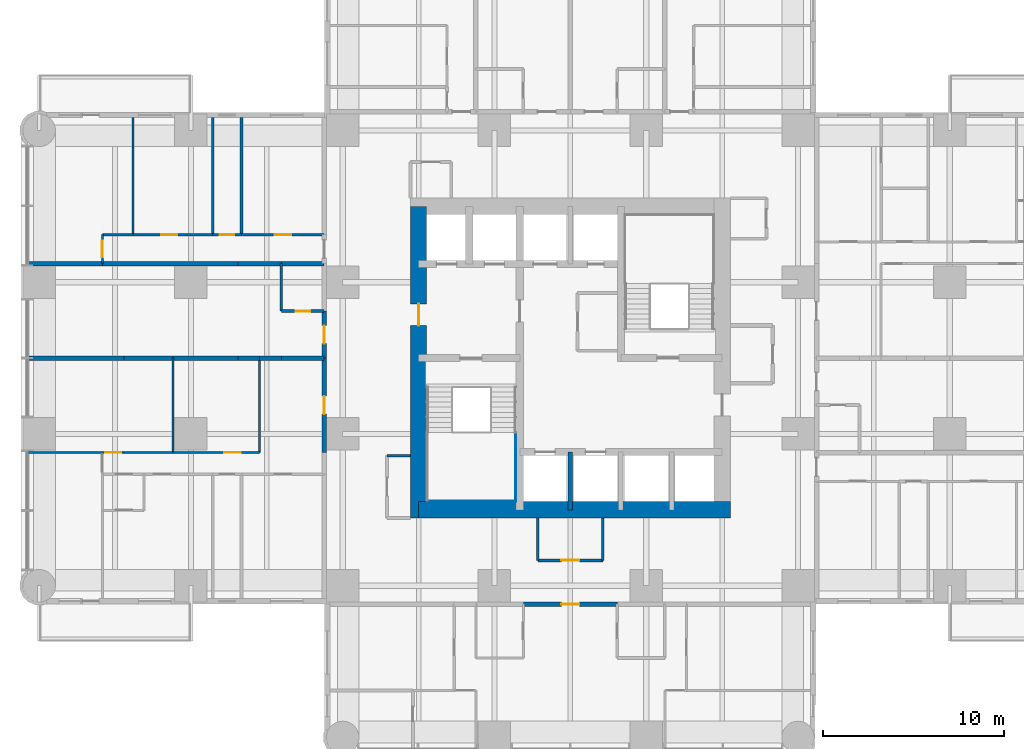
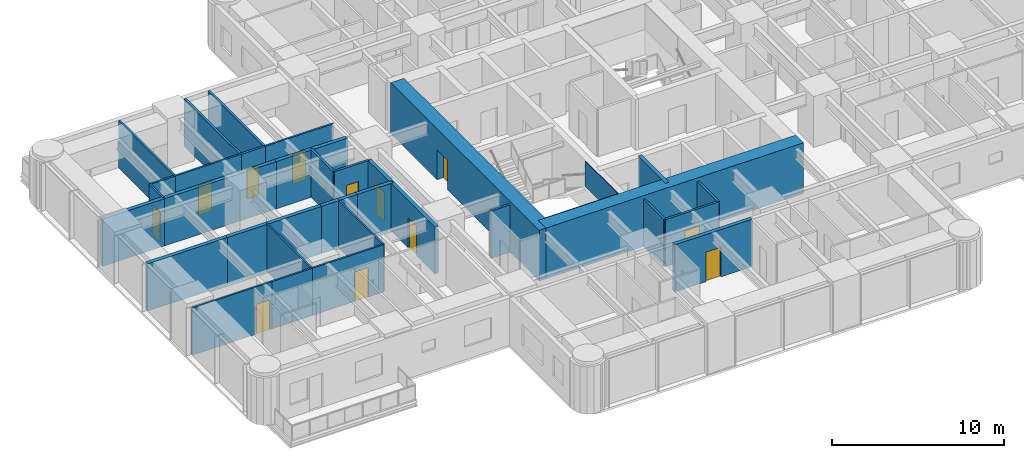
# One storey, part 7 of 14: 38 walls, 12 doors, 12 openings.
"""IFC4 building model written with IfcOpenShell, lengths in metres."""

from ifc_helpers import new_model, si_unit, direction, frame, frame_2d, origin, place, context, subcontext, project, spatial, rectangle, extrude, material, layer, layer_set, type_object, element, fill, save


model = new_model("IFC4")

# Units and contexts
model_context = context("Model", 3, precision=1e-05, world=origin(), true_north=direction((0.0, 1.0)))
body_context = subcontext(model_context, "Body", "Model", "MODEL_VIEW")
ifc_project = project(units=[si_unit("LENGTHUNIT", "METRE"), si_unit("AREAUNIT", "SQUARE_METRE"), si_unit("VOLUMEUNIT", "CUBIC_METRE"), si_unit("PLANEANGLEUNIT", "RADIAN"), si_unit("MASSUNIT", "GRAM", prefix="KILO")], contexts=[model_context])

# Site, building, storey
site_placement = place(None, origin())
site = spatial("IfcSite", under=ifc_project, at=site_placement, CompositionType="ELEMENT")
building_placement = place(site_placement, origin())
building = spatial("IfcBuilding", under=site, at=building_placement, Name="Torre Alcanfor", CompositionType="ELEMENT")
storey_placement = place(building_placement, frame((0.0, 0.0, 173.699951171875)))
storey = spatial("IfcBuildingStorey", under=building, at=storey_placement, Name="L45", CompositionType="ELEMENT", Elevation=173.699951171875)

# Wall, opening, door
ifc_material_1 = material(Name="Concrete block masonry, hollow blocks NMX-C-404 9 MPa", Category="masonry")
ifc_layer_1 = layer(ifc_material_1, 0.25)
ifc_layer_set_1 = layer_set([ifc_layer_1], Name="Apartment entrance wall 250 EI 60")
wall_type_1 = type_object("IfcWallType", Name="Apartment entrance wall 250 EI 60", PredefinedType="PARTITIONING", material=ifc_layer_set_1)
wall_1_placement = place(storey_placement, frame((32.0, 15.77490234375, 0.0), z_axis=(0.0, 0.0, 1.0), x_axis=(-1.0, 0.0, 0.0)))
wall_1 = element("IfcWall", 1, at=wall_1_placement, inside=storey, type_object=wall_type_1, Name="Partition L45-CORR / L45-SX-ZAG", PredefinedType="PARTITIONING", context=body_context, shape_type="SweptSolid", body=[
    extrude(rectangle(XDim=5.199951171875, YDim=0.25, at=frame_2d((2.60009765625, 0.0))), origin(), (0.0, 0.0, 1.0), 3.35009765625),
])
opening_1_placement = place(wall_1_placement, frame((2.10009765625, 0.0, 0.0)))
opening_1 = element("IfcOpeningElement", 2, at=opening_1_placement, cuts=wall_1, Name="Opening D-A1", PredefinedType="OPENING", context=body_context, shape_type="SweptSolid", body=[
    extrude(rectangle(XDim=1.0, YDim=2.10009765625, at=frame_2d((0.5, 1.050048828125))), frame((0.0, 0.135009765625, 0.0), z_axis=(0.0, -1.0, 0.0), x_axis=(1.0, 0.0, 0.0)), (0.0, 0.0, 1.0), 0.27001953125),
])
ifc_material_2 = material(Name="Galvanised steel sheet ASTM A653", Category="steel")
door_type_1 = type_object("IfcDoorType", Name="Apartment entrance door FD60 1000x2100", OperationType="SINGLE_SWING_LEFT", PredefinedType="DOOR", material=ifc_material_2)
door_1_placement = place(opening_1_placement, origin())
door_1 = element("IfcDoor", 3, at=door_1_placement, inside=storey, type_object=door_type_1, Name="Apartment entrance L45-SX", OperationType="SINGLE_SWING_LEFT", OverallHeight=2.10009765625, OverallWidth=1.0, PredefinedType="DOOR", context=body_context, shape_type="SweptSolid", body=[
    extrude(rectangle(XDim=1.0, YDim=2.10009765625, at=frame_2d((0.5, 1.050048828125))), frame((0.0, 0.02490234375, 0.0), z_axis=(0.0, -1.0, 0.0), x_axis=(1.0, 0.0, 0.0)), (0.0, 0.0, 1.0), 0.050048828125),
])
fill(opening_1, door_1)

wall_2_placement = place(storey_placement, frame((15.77490234375, 24.1708984375, 0.0), z_axis=(0.0, 0.0, 1.0), x_axis=(0.0, 1.0, 0.0)))
wall_2 = element("IfcWall", 4, at=wall_2_placement, inside=storey, type_object=wall_type_1, Name="Partition L45-CORR / L45-W1-ZAG", PredefinedType="PARTITIONING", context=body_context, shape_type="SweptSolid", body=[
    extrude(rectangle(XDim=5.22900390625, YDim=0.25, at=frame_2d((2.614501953125, 0.0))), origin(), (0.0, 0.0, 1.0), 3.35009765625),
])
opening_2_placement = place(wall_2_placement, frame((2.12890625, 0.0, 0.0)))
opening_2 = element("IfcOpeningElement", 5, at=opening_2_placement, cuts=wall_2, Name="Opening D-A1", PredefinedType="OPENING", context=body_context, shape_type="SweptSolid", body=[
    extrude(rectangle(XDim=1.0, YDim=2.10009765625, at=frame_2d((0.5, 1.050048828125))), frame((0.0, 0.135009765625, 0.0), z_axis=(0.0, -1.0, 0.0), x_axis=(1.0, 0.0, 0.0)), (0.0, 0.0, 1.0), 0.27001953125),
])
door_2_placement = place(opening_2_placement, origin())
door_2 = element("IfcDoor", 6, at=door_2_placement, inside=storey, type_object=door_type_1, Name="Apartment entrance L45-W1", OperationType="SINGLE_SWING_RIGHT", OverallHeight=2.10009765625, OverallWidth=1.0, PredefinedType="DOOR", context=body_context, shape_type="SweptSolid", body=[
    extrude(rectangle(XDim=1.0, YDim=2.10009765625, at=frame_2d((0.5, 1.050048828125))), frame((0.0, 0.02490234375, 0.0), z_axis=(0.0, -1.0, 0.0), x_axis=(1.0, 0.0, 0.0)), (0.0, 0.0, 1.0), 0.050048828125),
])
fill(opening_2, door_2)

wall_3_placement = place(storey_placement, frame((15.77490234375, 29.39990234375, 0.0), z_axis=(0.0, 0.0, 1.0), x_axis=(0.0, 1.0, 0.0)))
wall_3 = element("IfcWall", 7, at=wall_3_placement, inside=storey, type_object=wall_type_1, Name="Partition L45-CORR / L45-W2A-FOYER", PredefinedType="PARTITIONING", context=body_context, shape_type="SweptSolid", body=[
    extrude(rectangle(XDim=2.60009765625, YDim=0.25, at=frame_2d((1.300048828125, 0.0))), origin(), (0.0, 0.0, 1.0), 3.35009765625),
])
opening_3_placement = place(wall_3_placement, frame((0.800048828125, 0.0, 0.0)))
opening_3 = element("IfcOpeningElement", 8, at=opening_3_placement, cuts=wall_3, Name="Opening D-A1", PredefinedType="OPENING", context=body_context, shape_type="SweptSolid", body=[
    extrude(rectangle(XDim=1.0, YDim=2.10009765625, at=frame_2d((0.5, 1.050048828125))), frame((0.0, 0.135009765625, 0.0), z_axis=(0.0, -1.0, 0.0), x_axis=(1.0, 0.0, 0.0)), (0.0, 0.0, 1.0), 0.27001953125),
])
door_3_placement = place(opening_3_placement, origin())
door_3 = element("IfcDoor", 9, at=door_3_placement, inside=storey, type_object=door_type_1, Name="Apartment entrance L45-W2A", OperationType="SINGLE_SWING_LEFT", OverallHeight=2.10009765625, OverallWidth=1.0, PredefinedType="DOOR", context=body_context, shape_type="SweptSolid", body=[
    extrude(rectangle(XDim=1.0, YDim=2.10009765625, at=frame_2d((0.5, 1.050048828125))), frame((0.0, 0.02490234375, 0.0), z_axis=(0.0, -1.0, 0.0), x_axis=(1.0, 0.0, 0.0)), (0.0, 0.0, 1.0), 0.050048828125),
])
fill(opening_3, door_3)

# Walls
ifc_material_3 = material(Name="Gypsum board on steel studs", Category="steel")
ifc_layer_2 = layer(ifc_material_3, 0.1201171875)
ifc_layer_set_2 = layer_set([ifc_layer_2], Name="Apartment partition 120")
wall_type_2 = type_object("IfcWallType", Name="Apartment partition 120", PredefinedType="PARTITIONING", material=ifc_layer_set_2)
for number, where, z_axis, x_axis, name in (
    (10, (12.199951171875, 29.39990234375, 0.0), (0.0, 0.0, 1.0), (0.0, -1.0, 0.0), "Partition L45-W1-ZAG / L45-W1-FAMILY"),
    (11, (7.39990234375, 29.39990234375, 0.0), (0.0, 0.0, 1.0), (0.0, -1.0, 0.0), "Partition L45-W1-FAMILY / L45-W1-KITCHEN"),
):
    element("IfcWall", number, at=place(storey_placement, frame(where, z_axis=z_axis, x_axis=x_axis)), inside=storey, type_object=wall_type_2, Name=name, PredefinedType="PARTITIONING", context=body_context, shape_type="SweptSolid", body=[
        extrude(rectangle(XDim=5.22900390625, YDim=0.1201171875, at=frame_2d((2.614501953125, 0.0))), origin(), (0.0, 0.0, 1.0), 3.35009765625),
    ])

# Wall, opening, door
wall_4_placement = place(storey_placement, frame((7.39990234375, 24.1708984375, 0.0), z_axis=(0.0, 0.0, 1.0), x_axis=(1.0, 0.0, 0.0)))
wall_4 = element("IfcWall", 12, at=wall_4_placement, inside=storey, type_object=wall_type_2, Name="Partition L45-W1-FAMILY / L45-W1-HALL", PredefinedType="PARTITIONING", context=body_context, shape_type="SweptSolid", body=[
    extrude(rectangle(XDim=4.800048828125, YDim=0.1201171875, at=frame_2d((2.39990234375, 0.0))), origin(), (0.0, 0.0, 1.0), 3.35009765625),
])
opening_4_placement = place(wall_4_placement, frame((2.85009765625, 0.0, 0.0)))
opening_4 = element("IfcOpeningElement", 13, at=opening_4_placement, cuts=wall_4, Name="Opening D-R1", PredefinedType="OPENING", context=body_context, shape_type="SweptSolid", body=[
    extrude(rectangle(XDim=0.89990234375, YDim=2.10009765625, at=frame_2d((0.449951171875, 1.050048828125))), frame((0.0, 0.070068359375, 0.0), z_axis=(0.0, -1.0, 0.0), x_axis=(1.0, 0.0, 0.0)), (0.0, 0.0, 1.0), 0.14013671875),
])
ifc_material_4 = material(Name="Timber", Category="wood")
door_type_2 = type_object("IfcDoorType", Name="Internal door 900x2100", OperationType="SINGLE_SWING_LEFT", PredefinedType="DOOR", material=ifc_material_4)
door_4_placement = place(opening_4_placement, origin())
door_4 = element("IfcDoor", 14, at=door_4_placement, inside=storey, type_object=door_type_2, Name="Door L45-W1 family", OperationType="SINGLE_SWING_RIGHT", OverallHeight=2.10009765625, OverallWidth=0.89990234375, PredefinedType="DOOR", context=body_context, shape_type="SweptSolid", body=[
    extrude(rectangle(XDim=0.89990234375, YDim=2.10009765625, at=frame_2d((0.449951171875, 1.050048828125))), frame((0.0, 0.02490234375, 0.0), z_axis=(0.0, -1.0, 0.0), x_axis=(1.0, 0.0, 0.0)), (0.0, 0.0, 1.0), 0.050048828125),
])
fill(opening_4, door_4)

# Wall
wall_5_placement = place(storey_placement, frame((4.699951171875, 24.1708984375, 0.0), z_axis=(0.0, 0.0, 1.0), x_axis=(1.0, 0.0, 0.0)))
element("IfcWall", 15, at=wall_5_placement, inside=storey, type_object=wall_type_2, Name="Partition L45-W1-KITCHEN / L45-W1-HALL", PredefinedType="PARTITIONING", context=body_context, shape_type="SweptSolid", body=[
    extrude(rectangle(XDim=2.699951171875, YDim=0.1201171875, at=frame_2d((1.35009765625, 0.0))), origin(), (0.0, 0.0, 1.0), 3.35009765625),
])

# Wall, opening, door
wall_6_placement = place(storey_placement, frame((3.5, 24.1708984375, 0.0), z_axis=(0.0, 0.0, 1.0), x_axis=(1.0, 0.0, 0.0)))
wall_6 = element("IfcWall", 16, at=wall_6_placement, inside=storey, type_object=wall_type_2, Name="Partition L45-W1-LIVING / L45-W1-HALL", PredefinedType="PARTITIONING", context=body_context, shape_type="SweptSolid", body=[
    extrude(rectangle(XDim=1.199951171875, YDim=0.1201171875, at=frame_2d((0.60009765625, 0.0))), origin(), (0.0, 0.0, 1.0), 3.35009765625),
])
opening_5_placement = place(wall_6_placement, frame((0.14990234375, 0.0, 0.0)))
opening_5 = element("IfcOpeningElement", 17, at=opening_5_placement, cuts=wall_6, Name="Opening D-R1", PredefinedType="OPENING", context=body_context, shape_type="SweptSolid", body=[
    extrude(rectangle(XDim=0.89990234375, YDim=2.10009765625, at=frame_2d((0.449951171875, 1.050048828125))), frame((0.0, 0.070068359375, 0.0), z_axis=(0.0, -1.0, 0.0), x_axis=(1.0, 0.0, 0.0)), (0.0, 0.0, 1.0), 0.14013671875),
])
door_5_placement = place(opening_5_placement, origin())
door_5 = element("IfcDoor", 18, at=door_5_placement, inside=storey, type_object=door_type_2, Name="Door L45-W1 living", OperationType="SINGLE_SWING_RIGHT", OverallHeight=2.10009765625, OverallWidth=0.89990234375, PredefinedType="DOOR", context=body_context, shape_type="SweptSolid", body=[
    extrude(rectangle(XDim=0.89990234375, YDim=2.10009765625, at=frame_2d((0.449951171875, 1.050048828125))), frame((0.0, 0.02490234375, 0.0), z_axis=(0.0, -1.0, 0.0), x_axis=(1.0, 0.0, 0.0)), (0.0, 0.0, 1.0), 0.050048828125),
])
fill(opening_5, door_5)

# Wall
wall_7_placement = place(storey_placement, frame((-0.64990234375, 24.1708984375, 0.0), z_axis=(0.0, 0.0, 1.0), x_axis=(1.0, 0.0, 0.0)))
element("IfcWall", 19, at=wall_7_placement, inside=storey, type_object=wall_type_2, Name="Partition L45-W1-LIVING / L45-W1-WGARD", PredefinedType="PARTITIONING", context=body_context, shape_type="SweptSolid", body=[
    extrude(rectangle(XDim=4.14990234375, YDim=0.1201171875, at=frame_2d((2.074951171875, 0.0))), origin(), (0.0, 0.0, 1.0), 3.35009765625),
])

# Wall, opening, door
wall_8_placement = place(storey_placement, frame((11.199951171875, 36.22900390625, 0.0), z_axis=(0.0, 0.0, 1.0), x_axis=(1.0, 0.0, 0.0)))
wall_8 = element("IfcWall", 20, at=wall_8_placement, inside=storey, type_object=wall_type_2, Name="Partition L45-W2B-HALL / L45-W2B-MASTER", PredefinedType="PARTITIONING", context=body_context, shape_type="SweptSolid", body=[
    extrude(rectangle(XDim=4.574951171875, YDim=0.1201171875, at=frame_2d((2.28759765625, 0.0))), origin(), (0.0, 0.0, 1.0), 3.35009765625),
])
opening_6_placement = place(wall_8_placement, frame((1.85009765625, 0.0, 0.0)))
opening_6 = element("IfcOpeningElement", 21, at=opening_6_placement, cuts=wall_8, Name="Opening D-R1", PredefinedType="OPENING", context=body_context, shape_type="SweptSolid", body=[
    extrude(rectangle(XDim=0.89990234375, YDim=2.10009765625, at=frame_2d((0.449951171875, 1.050048828125))), frame((0.0, 0.070068359375, 0.0), z_axis=(0.0, -1.0, 0.0), x_axis=(1.0, 0.0, 0.0)), (0.0, 0.0, 1.0), 0.14013671875),
])
door_6_placement = place(opening_6_placement, origin())
door_6 = element("IfcDoor", 22, at=door_6_placement, inside=storey, type_object=door_type_2, Name="Door L45-W2B master", OperationType="SINGLE_SWING_RIGHT", OverallHeight=2.10009765625, OverallWidth=0.89990234375, PredefinedType="DOOR", context=body_context, shape_type="SweptSolid", body=[
    extrude(rectangle(XDim=0.89990234375, YDim=2.10009765625, at=frame_2d((0.449951171875, 1.050048828125))), frame((0.0, 0.02490234375, 0.0), z_axis=(0.0, -1.0, 0.0), x_axis=(1.0, 0.0, 0.0)), (0.0, 0.0, 1.0), 0.050048828125),
])
fill(opening_6, door_6)

wall_9_placement = place(storey_placement, frame((5.199951171875, 36.22900390625, 0.0), z_axis=(0.0, 0.0, 1.0), x_axis=(1.0, 0.0, 0.0)))
wall_9 = element("IfcWall", 23, at=wall_9_placement, inside=storey, type_object=wall_type_2, Name="Partition L45-W2B-HALL / L45-W2B-STUDY", PredefinedType="PARTITIONING", context=body_context, shape_type="SweptSolid", body=[
    extrude(rectangle(XDim=4.400146484375, YDim=0.1201171875, at=frame_2d((2.2001953125, 0.0))), origin(), (0.0, 0.0, 1.0), 3.35009765625),
])
opening_7_placement = place(wall_9_placement, frame((1.550048828125, 0.0, 0.0)))
opening_7 = element("IfcOpeningElement", 24, at=opening_7_placement, cuts=wall_9, Name="Opening D-R1", PredefinedType="OPENING", context=body_context, shape_type="SweptSolid", body=[
    extrude(rectangle(XDim=0.89990234375, YDim=2.10009765625, at=frame_2d((0.449951171875, 1.050048828125))), frame((0.0, 0.070068359375, 0.0), z_axis=(0.0, -1.0, 0.0), x_axis=(1.0, 0.0, 0.0)), (0.0, 0.0, 1.0), 0.14013671875),
])
door_7_placement = place(opening_7_placement, origin())
door_7 = element("IfcDoor", 25, at=door_7_placement, inside=storey, type_object=door_type_2, Name="Door L45-W2B study", OperationType="SINGLE_SWING_LEFT", OverallHeight=2.10009765625, OverallWidth=0.89990234375, PredefinedType="DOOR", context=body_context, shape_type="SweptSolid", body=[
    extrude(rectangle(XDim=0.89990234375, YDim=2.10009765625, at=frame_2d((0.449951171875, 1.050048828125))), frame((0.0, 0.02490234375, 0.0), z_axis=(0.0, -1.0, 0.0), x_axis=(1.0, 0.0, 0.0)), (0.0, 0.0, 1.0), 0.050048828125),
])
fill(opening_7, door_7)

# Wall
wall_10_placement = place(storey_placement, frame((3.5, 36.22900390625, 0.0), z_axis=(0.0, 0.0, 1.0), x_axis=(1.0, 0.0, 0.0)))
element("IfcWall", 26, at=wall_10_placement, inside=storey, type_object=wall_type_2, Name="Partition L45-W2B-HALL / L45-W2B-KITCHEN", PredefinedType="PARTITIONING", context=body_context, shape_type="SweptSolid", body=[
    extrude(rectangle(XDim=1.699951171875, YDim=0.1201171875, at=frame_2d((0.85009765625, 0.0))), origin(), (0.0, 0.0, 1.0), 3.35009765625),
])

# Wall, opening, door
wall_11_placement = place(storey_placement, frame((3.5, 34.62890625, 0.0), z_axis=(0.0, 0.0, 1.0), x_axis=(0.0, 1.0, 0.0)))
wall_11 = element("IfcWall", 27, at=wall_11_placement, inside=storey, type_object=wall_type_2, Name="Partition L45-W2B-HALL / L45-W2B-LIVING", PredefinedType="PARTITIONING", context=body_context, shape_type="SweptSolid", body=[
    extrude(rectangle(XDim=1.60009765625, YDim=0.1201171875, at=frame_2d((0.800048828125, 0.0))), origin(), (0.0, 0.0, 1.0), 3.35009765625),
])
opening_8_placement = place(wall_11_placement, frame((0.35009765625, 0.0, 0.0)))
opening_8 = element("IfcOpeningElement", 28, at=opening_8_placement, cuts=wall_11, Name="Opening D-R1", PredefinedType="OPENING", context=body_context, shape_type="SweptSolid", body=[
    extrude(rectangle(XDim=0.89990234375, YDim=2.10009765625, at=frame_2d((0.449951171875, 1.050048828125))), frame((0.0, 0.070068359375, 0.0), z_axis=(0.0, -1.0, 0.0), x_axis=(1.0, 0.0, 0.0)), (0.0, 0.0, 1.0), 0.14013671875),
])
door_8_placement = place(opening_8_placement, origin())
door_8 = element("IfcDoor", 29, at=door_8_placement, inside=storey, type_object=door_type_2, Name="Door L45-W2B living", OperationType="SINGLE_SWING_LEFT", OverallHeight=2.10009765625, OverallWidth=0.89990234375, PredefinedType="DOOR", context=body_context, shape_type="SweptSolid", body=[
    extrude(rectangle(XDim=0.89990234375, YDim=2.10009765625, at=frame_2d((0.449951171875, 1.050048828125))), frame((0.0, 0.02490234375, 0.0), z_axis=(0.0, -1.0, 0.0), x_axis=(1.0, 0.0, 0.0)), (0.0, 0.0, 1.0), 0.050048828125),
])
fill(opening_8, door_8)

# Walls
wall_12_placement = place(storey_placement, frame((5.199951171875, 36.22900390625, 0.0), z_axis=(0.0, 0.0, 1.0), x_axis=(0.0, 1.0, 0.0)))
element("IfcWall", 30, at=wall_12_placement, inside=storey, type_object=wall_type_2, Name="Partition L45-W2B-STUDY / L45-W2B-KITCHEN", PredefinedType="PARTITIONING", context=body_context, shape_type="SweptSolid", body=[
    extrude(rectangle(XDim=6.470947265625, YDim=0.1201171875, at=frame_2d((3.2353515625, 0.0))), origin(), (0.0, 0.0, 1.0), 3.35009765625),
])
ifc_material_5 = material(Name="Concrete f'c 70 MPa", Category="concrete")
ifc_layer_3 = layer(ifc_material_5, 0.25)
ifc_layer_set_3 = layer_set([ifc_layer_3], Name="Core shaft wall 250 f'c70")
wall_type_3 = type_object("IfcWallType", Name="Core shaft wall 250 f'c70", PredefinedType="SHEAR", material=ifc_layer_set_3)
wall_13_placement = place(storey_placement, frame((29.39990234375, 21.0, 0.0), z_axis=(0.0, 0.0, 1.0), x_axis=(0.0, 1.0, 0.0)))
element("IfcWall", 31, at=wall_13_placement, inside=storey, type_object=wall_type_3, Name="Core wall X294S L45", PredefinedType="SHEAR", context=body_context, shape_type="SweptSolid", body=[
    extrude(rectangle(XDim=3.199951171875, YDim=0.25, at=frame_2d((1.60009765625, 0.0))), origin(), (0.0, 0.0, 1.0), 3.60009765625),
])
ifc_material_6 = material(Name="Concrete f'c 70 MPa", Category="concrete")
ifc_layer_4 = layer(ifc_material_6, 0.89990234375)
ifc_layer_set_4 = layer_set([ifc_layer_4], Name="Core wall 900 f'c70")
wall_type_4 = type_object("IfcWallType", Name="Core wall 900 f'c70", PredefinedType="SHEAR", material=ifc_layer_set_4)
wall_14_placement = place(storey_placement, frame((21.0, 21.0, 0.0), z_axis=(0.0, 0.0, 1.0), x_axis=(1.0, 0.0, 0.0)))
element("IfcWall", 32, at=wall_14_placement, inside=storey, type_object=wall_type_4, Name="Core wall OUT-S L45", PredefinedType="SHEAR", context=body_context, shape_type="SweptSolid", body=[
    extrude(rectangle(XDim=17.25, YDim=0.89990234375, at=frame_2d((8.625, 0.0))), origin(), (0.0, 0.0, 1.0), 3.60009765625),
])

# Wall, opening, door
wall_15_placement = place(storey_placement, frame((21.0, 37.800048828125, 0.0), z_axis=(0.0, 0.0, 1.0), x_axis=(0.0, -1.0, 0.0)))
wall_15 = element("IfcWall", 33, at=wall_15_placement, inside=storey, type_object=wall_type_4, Name="Core wall OUT-W L45", PredefinedType="SHEAR", context=body_context, shape_type="SweptSolid", body=[
    extrude(rectangle(XDim=17.25, YDim=0.89990234375, at=frame_2d((8.625, 0.0))), origin(), (0.0, 0.0, 1.0), 3.60009765625),
])
opening_9_placement = place(wall_15_placement, frame((5.39990234375, 0.0, 0.0)))
opening_9 = element("IfcOpeningElement", 34, at=opening_9_placement, cuts=wall_15, Name="Opening D-L1", PredefinedType="OPENING", context=body_context, shape_type="SweptSolid", body=[
    extrude(rectangle(XDim=1.199951171875, YDim=2.10009765625, at=frame_2d((0.60009765625, 1.050048828125))), frame((0.0, 0.4599609375, 0.0), z_axis=(0.0, -1.0, 0.0), x_axis=(1.0, 0.0, 0.0)), (0.0, 0.0, 1.0), 0.919921875),
])
ifc_material_7 = material(Name="Galvanised steel sheet ASTM A653", Category="steel")
door_type_3 = type_object("IfcDoorType", Name="Lobby door FD120 1200x2100", OperationType="SINGLE_SWING_LEFT", PredefinedType="DOOR", material=ifc_material_7)
door_9_placement = place(opening_9_placement, origin())
door_9 = element("IfcDoor", 35, at=door_9_placement, inside=storey, type_object=door_type_3, Name="Firefighting lobby door L45", OperationType="SINGLE_SWING_LEFT", OverallHeight=2.10009765625, OverallWidth=1.199951171875, PredefinedType="DOOR", context=body_context, shape_type="SweptSolid", body=[
    extrude(rectangle(XDim=1.199951171875, YDim=2.10009765625, at=frame_2d((0.60009765625, 1.050048828125))), frame((0.0, 0.02490234375, 0.0), z_axis=(0.0, -1.0, 0.0), x_axis=(1.0, 0.0, 0.0)), (0.0, 0.0, 1.0), 0.050048828125),
])
fill(opening_9, door_9)

# Walls
ifc_material_8 = material(Name="Concrete block masonry, hollow blocks NMX-C-404 9 MPa", Category="masonry")
ifc_layer_5 = layer(ifc_material_8, 0.25)
ifc_layer_set_5 = layer_set([ifc_layer_5], Name="Party wall 250 EI 60")
wall_type_5 = type_object("IfcWallType", Name="Party wall 250 EI 60", PredefinedType="PARTITIONING", material=ifc_layer_set_5)
wall_16_placement = place(storey_placement, frame((15.77490234375, 29.39990234375, 0.0), z_axis=(0.0, 0.0, 1.0), x_axis=(-1.0, 0.0, 0.0)))
element("IfcWall", 36, at=wall_16_placement, inside=storey, type_object=wall_type_5, Name="Partition L45-W1-ZAG / L45-W2A-FOYER", PredefinedType="PARTITIONING", context=body_context, shape_type="SweptSolid", body=[
    extrude(rectangle(XDim=2.375, YDim=0.25, at=frame_2d((1.1875, 0.0))), origin(), (0.0, 0.0, 1.0), 3.35009765625),
])
for number, where, z_axis, x_axis, name in (
    (37, (13.39990234375, 29.39990234375, 0.0), (0.0, 0.0, 1.0), (-1.0, 0.0, 0.0), "Partition L45-W1-ZAG / L45-W2A-KITCHEN"),
    (38, (12.199951171875, 29.39990234375, 0.0), (0.0, 0.0, 1.0), (-1.0, 0.0, 0.0), "Partition L45-W1-FAMILY / L45-W2A-KITCHEN"),
):
    element("IfcWall", number, at=place(storey_placement, frame(where, z_axis=z_axis, x_axis=x_axis)), inside=storey, type_object=wall_type_5, Name=name, PredefinedType="PARTITIONING", context=body_context, shape_type="SweptSolid", body=[
        extrude(rectangle(XDim=1.199951171875, YDim=0.25, at=frame_2d((0.60009765625, 0.0))), origin(), (0.0, 0.0, 1.0), 3.35009765625),
    ])
wall_17_placement = place(storey_placement, frame((11.0, 29.39990234375, 0.0), z_axis=(0.0, 0.0, 1.0), x_axis=(-1.0, 0.0, 0.0)))
element("IfcWall", 39, at=wall_17_placement, inside=storey, type_object=wall_type_5, Name="Partition L45-W1-FAMILY / L45-W2A-STUDIO", PredefinedType="PARTITIONING", context=body_context, shape_type="SweptSolid", body=[
    extrude(rectangle(XDim=3.60009765625, YDim=0.25, at=frame_2d((1.800048828125, 0.0))), origin(), (0.0, 0.0, 1.0), 3.35009765625),
])
wall_18_placement = place(storey_placement, frame((7.39990234375, 29.39990234375, 0.0), z_axis=(0.0, 0.0, 1.0), x_axis=(-1.0, 0.0, 0.0)))
element("IfcWall", 40, at=wall_18_placement, inside=storey, type_object=wall_type_5, Name="Partition L45-W1-KITCHEN / L45-W2A-STUDIO", PredefinedType="PARTITIONING", context=body_context, shape_type="SweptSolid", body=[
    extrude(rectangle(XDim=2.699951171875, YDim=0.25, at=frame_2d((1.35009765625, 0.0))), origin(), (0.0, 0.0, 1.0), 3.35009765625),
])
wall_19_placement = place(storey_placement, frame((4.699951171875, 29.39990234375, 0.0), z_axis=(0.0, 0.0, 1.0), x_axis=(-1.0, 0.0, 0.0)))
element("IfcWall", 41, at=wall_19_placement, inside=storey, type_object=wall_type_5, Name="Partition L45-W1-LIVING / L45-W2A-STUDIO", PredefinedType="PARTITIONING", context=body_context, shape_type="SweptSolid", body=[
    extrude(rectangle(XDim=5.349853515625, YDim=0.25, at=frame_2d((2.6748046875, 0.0))), origin(), (0.0, 0.0, 1.0), 3.35009765625),
])
wall_20_placement = place(storey_placement, frame((13.39990234375, 34.62890625, 0.0), z_axis=(0.0, 0.0, 1.0), x_axis=(1.0, 0.0, 0.0)))
element("IfcWall", 42, at=wall_20_placement, inside=storey, type_object=wall_type_5, Name="Partition L45-W2A-BATH / L45-W2B-HALL", PredefinedType="PARTITIONING", context=body_context, shape_type="SweptSolid", body=[
    extrude(rectangle(XDim=2.375, YDim=0.25, at=frame_2d((1.1875, 0.0))), origin(), (0.0, 0.0, 1.0), 3.35009765625),
])
wall_21_placement = place(storey_placement, frame((11.0, 34.62890625, 0.0), z_axis=(0.0, 0.0, 1.0), x_axis=(1.0, 0.0, 0.0)))
element("IfcWall", 43, at=wall_21_placement, inside=storey, type_object=wall_type_5, Name="Partition L45-W2A-KITCHEN / L45-W2B-HALL", PredefinedType="PARTITIONING", context=body_context, shape_type="SweptSolid", body=[
    extrude(rectangle(XDim=2.39990234375, YDim=0.25, at=frame_2d((1.199951171875, 0.0))), origin(), (0.0, 0.0, 1.0), 3.35009765625),
])
wall_22_placement = place(storey_placement, frame((3.5, 34.62890625, 0.0), z_axis=(0.0, 0.0, 1.0), x_axis=(1.0, 0.0, 0.0)))
element("IfcWall", 44, at=wall_22_placement, inside=storey, type_object=wall_type_5, Name="Partition L45-W2A-STUDIO / L45-W2B-HALL", PredefinedType="PARTITIONING", context=body_context, shape_type="SweptSolid", body=[
    extrude(rectangle(XDim=7.5, YDim=0.25, at=frame_2d((3.75, 0.0))), origin(), (0.0, 0.0, 1.0), 3.35009765625),
])
wall_23_placement = place(storey_placement, frame((-0.64990234375, 34.62890625, 0.0), z_axis=(0.0, 0.0, 1.0), x_axis=(1.0, 0.0, 0.0)))
element("IfcWall", 45, at=wall_23_placement, inside=storey, type_object=wall_type_5, Name="Partition L45-W2A-STUDIO / L45-W2B-LIVING", PredefinedType="PARTITIONING", context=body_context, shape_type="SweptSolid", body=[
    extrude(rectangle(XDim=4.14990234375, YDim=0.25, at=frame_2d((2.074951171875, 0.0))), origin(), (0.0, 0.0, 1.0), 3.35009765625),
])
ifc_material_9 = material(Name="Concrete block masonry, hollow blocks NMX-C-404 9 MPa", Category="masonry")
ifc_layer_6 = layer(ifc_material_9, 0.14990234375)
ifc_layer_set_6 = layer_set([ifc_layer_6], Name="Residents' room partition 150")
wall_type_6 = type_object("IfcWallType", Name="Residents' room partition 150", PredefinedType="PARTITIONING", material=ifc_layer_set_6)
wall_24_placement = place(storey_placement, frame((27.60009765625, 20.550048828125, 0.0), z_axis=(0.0, 0.0, 1.0), x_axis=(0.0, -1.0, 0.0)))
element("IfcWall", 46, at=wall_24_placement, inside=storey, type_object=wall_type_6, Name="Partition L45-CORR / L45-G04", PredefinedType="PARTITIONING", context=body_context, shape_type="SweptSolid", body=[
    extrude(rectangle(XDim=2.35009765625, YDim=0.14990234375, at=frame_2d((1.175048828125, 0.0))), origin(), (0.0, 0.0, 1.0), 3.35009765625),
])

# Wall, opening, door
wall_25_placement = place(storey_placement, frame((27.60009765625, 18.199951171875, 0.0), z_axis=(0.0, 0.0, 1.0), x_axis=(1.0, 0.0, 0.0)))
wall_25 = element("IfcWall", 47, at=wall_25_placement, inside=storey, type_object=wall_type_6, Name="Partition L45-CORR / L45-G04", PredefinedType="PARTITIONING", context=body_context, shape_type="SweptSolid", body=[
    extrude(rectangle(XDim=3.599853515625, YDim=0.14990234375, at=frame_2d((1.7998046875, 0.0))), origin(), (0.0, 0.0, 1.0), 3.35009765625),
])
opening_10_placement = place(wall_25_placement, frame((1.300048828125, 0.0, 0.0)))
opening_10 = element("IfcOpeningElement", 48, at=opening_10_placement, cuts=wall_25, Name="Opening D-M1", PredefinedType="OPENING", context=body_context, shape_type="SweptSolid", body=[
    extrude(rectangle(XDim=1.0, YDim=2.10009765625, at=frame_2d((0.5, 1.050048828125))), frame((0.0, 0.0849609375, 0.0), z_axis=(0.0, -1.0, 0.0), x_axis=(1.0, 0.0, 0.0)), (0.0, 0.0, 1.0), 0.169921875),
])
ifc_material_10 = material(Name="Timber", Category="wood")
door_type_4 = type_object("IfcDoorType", Name="Residents' room door 1000x2100", OperationType="SINGLE_SWING_LEFT", PredefinedType="DOOR", material=ifc_material_10)
door_10_placement = place(opening_10_placement, origin())
door_10 = element("IfcDoor", 49, at=door_10_placement, inside=storey, type_object=door_type_4, Name="Door L45-G04 pram and buggy store", OperationType="SINGLE_SWING_LEFT", OverallHeight=2.10009765625, OverallWidth=1.0, PredefinedType="DOOR", context=body_context, shape_type="SweptSolid", body=[
    extrude(rectangle(XDim=1.0, YDim=2.10009765625, at=frame_2d((0.5, 1.050048828125))), frame((0.0, 0.02490234375, 0.0), z_axis=(0.0, -1.0, 0.0), x_axis=(1.0, 0.0, 0.0)), (0.0, 0.0, 1.0), 0.050048828125),
])
fill(opening_10, door_10)

# Walls
wall_26_placement = place(storey_placement, frame((31.199951171875, 18.199951171875, 0.0), z_axis=(0.0, 0.0, 1.0), x_axis=(0.0, 1.0, 0.0)))
element("IfcWall", 50, at=wall_26_placement, inside=storey, type_object=wall_type_6, Name="Partition L45-CORR / L45-G04", PredefinedType="PARTITIONING", context=body_context, shape_type="SweptSolid", body=[
    extrude(rectangle(XDim=2.35009765625, YDim=0.14990234375, at=frame_2d((1.175048828125, 0.0))), origin(), (0.0, 0.0, 1.0), 3.35009765625),
])
wall_27_placement = place(storey_placement, frame((20.550048828125, 24.0, 0.0), z_axis=(0.0, 0.0, 1.0), x_axis=(-1.0, 0.0, 0.0)))
element("IfcWall", 51, at=wall_27_placement, inside=storey, type_object=wall_type_6, Name="Partition L45-CORR / L45-G05", PredefinedType="PARTITIONING", context=body_context, shape_type="SweptSolid", body=[
    extrude(rectangle(XDim=1.300048828125, YDim=0.14990234375, at=frame_2d((0.64990234375, 0.0))), origin(), (0.0, 0.0, 1.0), 3.35009765625),
])
ifc_material_11 = material(Name="Calcium silicate board", Category="masonry")
ifc_layer_7 = layer(ifc_material_11, 0.050048828125)
ifc_layer_set_7 = layer_set([ifc_layer_7], Name="Stair lining 50 EI 120")
wall_type_7 = type_object("IfcWallType", Name="Stair lining 50 EI 120", PredefinedType="PARTITIONING", material=ifc_layer_set_7)
wall_28_placement = place(storey_placement, frame((21.449951171875, 21.47509765625, 1.800048828125), z_axis=(0.0, 0.0, 1.0), x_axis=(1.0, 0.0, 0.0)))
element("IfcWall", 52, at=wall_28_placement, inside=storey, type_object=wall_type_7, Name="Stair lining S1 L45 south end", PredefinedType="PARTITIONING", context=body_context, shape_type="SweptSolid", body=[
    extrude(rectangle(XDim=4.949951171875, YDim=0.050048828125, at=frame_2d((2.47509765625, 0.0))), origin(), (0.0, 0.0, 1.0), 1.800048828125),
])
wall_29_placement = place(storey_placement, frame((26.375, 25.280029296875, 1.800048828125), z_axis=(0.0, 0.0, 1.0), x_axis=(0.0, -1.0, 0.0)))
element("IfcWall", 53, at=wall_29_placement, inside=storey, type_object=wall_type_7, Name="Stair lining S1 L45 east side", PredefinedType="PARTITIONING", context=body_context, shape_type="SweptSolid", body=[
    extrude(rectangle(XDim=3.780029296875, YDim=0.050048828125, at=frame_2d((1.89013671875, 0.0))), origin(), (0.0, 0.0, 1.0), 1.800048828125),
])

# Wall, opening, door
ifc_material_12 = material(Name="Cement board on steel studs", Category="steel")
ifc_layer_8 = layer(ifc_material_12, 0.14990234375)
ifc_layer_set_8 = layer_set([ifc_layer_8], Name="Wet area partition 150")
wall_type_8 = type_object("IfcWallType", Name="Wet area partition 150", PredefinedType="PARTITIONING", material=ifc_layer_set_8)
wall_30_placement = place(storey_placement, frame((13.39990234375, 32.0, 0.0), z_axis=(0.0, 0.0, 1.0), x_axis=(1.0, 0.0, 0.0)))
wall_30 = element("IfcWall", 54, at=wall_30_placement, inside=storey, type_object=wall_type_8, Name="Partition L45-W2A-FOYER / L45-W2A-BATH", PredefinedType="PARTITIONING", context=body_context, shape_type="SweptSolid", body=[
    extrude(rectangle(XDim=2.375, YDim=0.14990234375, at=frame_2d((1.1875, 0.0))), origin(), (0.0, 0.0, 1.0), 3.35009765625),
])
opening_11_placement = place(wall_30_placement, frame((0.800048828125, 0.0, 0.0)))
opening_11 = element("IfcOpeningElement", 55, at=opening_11_placement, cuts=wall_30, Name="Opening D-R2", PredefinedType="OPENING", context=body_context, shape_type="SweptSolid", body=[
    extrude(rectangle(XDim=0.800048828125, YDim=2.10009765625, at=frame_2d((0.39990234375, 1.050048828125))), frame((0.0, 0.0849609375, 0.0), z_axis=(0.0, -1.0, 0.0), x_axis=(1.0, 0.0, 0.0)), (0.0, 0.0, 1.0), 0.169921875),
])
ifc_material_13 = material(Name="Timber", Category="wood")
door_type_5 = type_object("IfcDoorType", Name="Bathroom door 800x2100", OperationType="SINGLE_SWING_LEFT", PredefinedType="DOOR", material=ifc_material_13)
door_11_placement = place(opening_11_placement, origin())
door_11 = element("IfcDoor", 56, at=door_11_placement, inside=storey, type_object=door_type_5, Name="Door L45-W2A bath", OperationType="SINGLE_SWING_RIGHT", OverallHeight=2.10009765625, OverallWidth=0.800048828125, PredefinedType="DOOR", context=body_context, shape_type="SweptSolid", body=[
    extrude(rectangle(XDim=0.800048828125, YDim=2.10009765625, at=frame_2d((0.39990234375, 1.050048828125))), frame((0.0, 0.02490234375, 0.0), z_axis=(0.0, -1.0, 0.0), x_axis=(1.0, 0.0, 0.0)), (0.0, 0.0, 1.0), 0.050048828125),
])
fill(opening_11, door_11)

# Wall
wall_31_placement = place(storey_placement, frame((13.39990234375, 32.0, 0.0), z_axis=(0.0, 0.0, 1.0), x_axis=(0.0, 1.0, 0.0)))
element("IfcWall", 57, at=wall_31_placement, inside=storey, type_object=wall_type_8, Name="Partition L45-W2A-BATH / L45-W2A-KITCHEN", PredefinedType="PARTITIONING", context=body_context, shape_type="SweptSolid", body=[
    extrude(rectangle(XDim=2.62890625, YDim=0.14990234375, at=frame_2d((1.314453125, 0.0))), origin(), (0.0, 0.0, 1.0), 3.35009765625),
])

# Wall, opening, door
wall_32_placement = place(storey_placement, frame((9.60009765625, 36.22900390625, 0.0), z_axis=(0.0, 0.0, 1.0), x_axis=(1.0, 0.0, 0.0)))
wall_32 = element("IfcWall", 58, at=wall_32_placement, inside=storey, type_object=wall_type_8, Name="Partition L45-W2B-HALL / L45-W2B-BATH", PredefinedType="PARTITIONING", context=body_context, shape_type="SweptSolid", body=[
    extrude(rectangle(XDim=1.599853515625, YDim=0.14990234375, at=frame_2d((0.7998046875, 0.0))), origin(), (0.0, 0.0, 1.0), 3.35009765625),
])
opening_12_placement = place(wall_32_placement, frame((0.39990234375, 0.0, 0.0)))
opening_12 = element("IfcOpeningElement", 59, at=opening_12_placement, cuts=wall_32, Name="Opening D-R2", PredefinedType="OPENING", context=body_context, shape_type="SweptSolid", body=[
    extrude(rectangle(XDim=0.800048828125, YDim=2.10009765625, at=frame_2d((0.39990234375, 1.050048828125))), frame((0.0, 0.0849609375, 0.0), z_axis=(0.0, -1.0, 0.0), x_axis=(1.0, 0.0, 0.0)), (0.0, 0.0, 1.0), 0.169921875),
])
door_12_placement = place(opening_12_placement, origin())
door_12 = element("IfcDoor", 60, at=door_12_placement, inside=storey, type_object=door_type_5, Name="Door L45-W2B bath", OperationType="SINGLE_SWING_LEFT", OverallHeight=2.10009765625, OverallWidth=0.800048828125, PredefinedType="DOOR", context=body_context, shape_type="SweptSolid", body=[
    extrude(rectangle(XDim=0.800048828125, YDim=2.10009765625, at=frame_2d((0.39990234375, 1.050048828125))), frame((0.0, 0.02490234375, 0.0), z_axis=(0.0, -1.0, 0.0), x_axis=(1.0, 0.0, 0.0)), (0.0, 0.0, 1.0), 0.050048828125),
])
fill(opening_12, door_12)

# Walls
for number, where, z_axis, x_axis, name in (
    (61, (11.199951171875, 36.22900390625, 0.0), (0.0, 0.0, 1.0), (0.0, 1.0, 0.0), "Partition L45-W2B-MASTER / L45-W2B-BATH"),
    (62, (9.60009765625, 36.22900390625, 0.0), (0.0, 0.0, 1.0), (0.0, 1.0, 0.0), "Partition L45-W2B-BATH / L45-W2B-STUDY"),
):
    element("IfcWall", number, at=place(storey_placement, frame(where, z_axis=z_axis, x_axis=x_axis)), inside=storey, type_object=wall_type_8, Name=name, PredefinedType="PARTITIONING", context=body_context, shape_type="SweptSolid", body=[
        extrude(rectangle(XDim=6.470947265625, YDim=0.14990234375, at=frame_2d((3.2353515625, 0.0))), origin(), (0.0, 0.0, 1.0), 3.35009765625),
    ])

save(model, "model.ifc")
